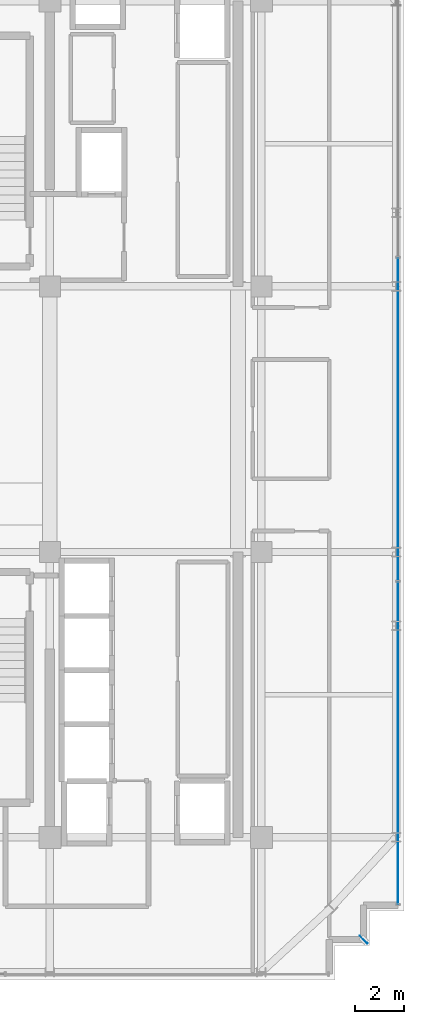
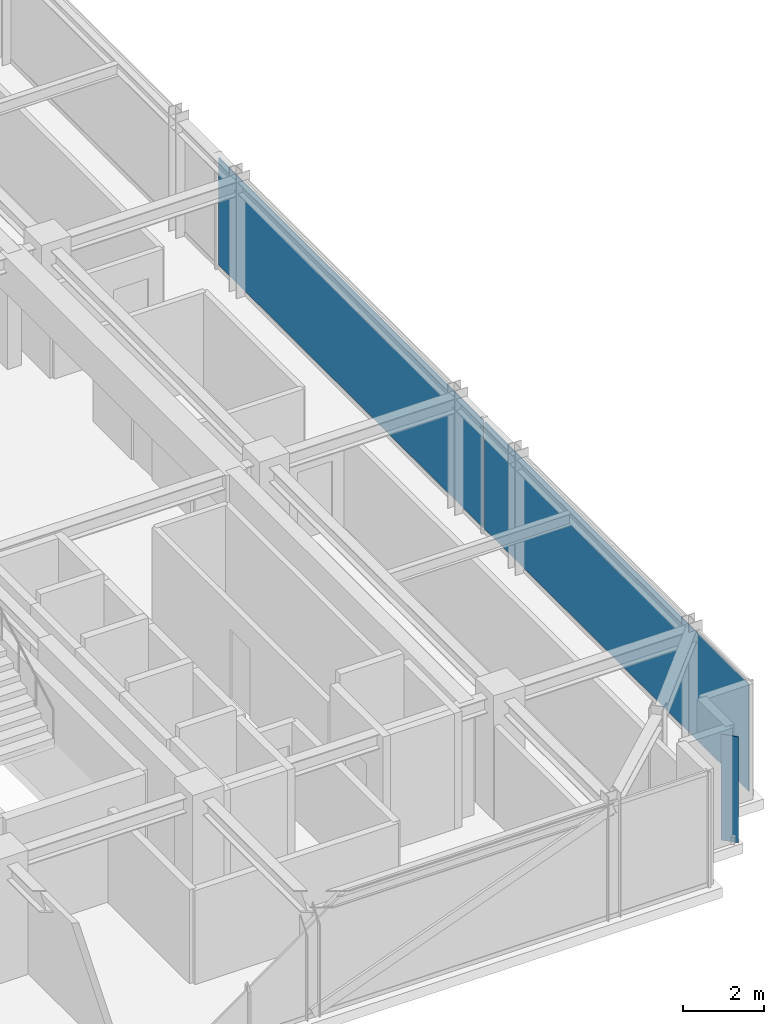
# One storey, part 27 of 36: 3 plates, 1 element without a shape of its own.
"""IFC4 building model written with IfcOpenShell, lengths in metres."""

from ifc_helpers import new_model, si_unit, direction, frame, origin, origin_2d, place, context, subcontext, project, spatial, rectangle, extrude, source, transform, mapped, material, layer, layer_set, type_object, element, aggregate, save


model = new_model("IFC4")

# Units and contexts
model_context = context("Model", 3, precision=1e-05, world=origin(), true_north=direction((0.0, 1.0)))
body_context = subcontext(model_context, "Body", "Model", "MODEL_VIEW")
ifc_project = project(units=[si_unit("LENGTHUNIT", "METRE"), si_unit("AREAUNIT", "SQUARE_METRE"), si_unit("VOLUMEUNIT", "CUBIC_METRE"), si_unit("PLANEANGLEUNIT", "RADIAN"), si_unit("MASSUNIT", "GRAM", prefix="KILO")], contexts=[model_context])

# Site, building, storey
site_placement = place(None, origin())
site = spatial("IfcSite", under=ifc_project, at=site_placement, CompositionType="ELEMENT")
building_placement = place(site_placement, origin())
building = spatial("IfcBuilding", under=site, at=building_placement, Name="Nahalor Promenade Grand Hotel", CompositionType="ELEMENT")
storey_placement = place(building_placement, frame((0.0, 0.0, 319.550048828125)))
storey = spatial("IfcBuildingStorey", under=building, at=storey_placement, Name="L82", CompositionType="ELEMENT", Elevation=319.550048828125)

# Plate
ifc_material_1 = material(Name="Anodised Bronze Aluminium EN AW-6063 T6", Category="aluminium")
ifc_layer_1 = layer(ifc_material_1, 0.02001953125)
ifc_layer_set_1 = layer_set([ifc_layer_1], Name="Anodised Bronze Aluminium EN AW-6063 T6")
plate_type_1 = type_object("IfcPlateType", Name="Plate-CornerFin-20", PredefinedType="SHEET", material=ifc_layer_set_1)
shared_shape_1 = source(origin(), body_context, "Body", "SweptSolid", [
    extrude(rectangle(XDim=0.449951171875, YDim=0.02001953125, at=origin_2d()), origin(), (0.0, 0.0, 1.0), 3.199951171875),
])
plate_1_placement = place(storey_placement, frame((21.159912109375, -21.159912109375, 0.0), z_axis=(0.0, 0.0, 1.0), x_axis=(-0.707106781187, 0.707106781187, 0.0)))
element("IfcPlate", 1, at=plate_1_placement, inside=storey, type_object=plate_type_1, Name="FIN-L82-SE", PredefinedType="SHEET", context=body_context, shape_type="MappedRepresentation", body=[
    mapped(shared_shape_1, transform((0.0, 0.0, 0.0), scale=1.0)),
])

# Curtain wall, plates
curtain_wall_type = type_object("IfcCurtainWallType", Name="CW2 Typical Hotel Flush Bronze Unitised Curtain Wall", PredefinedType="USERDEFINED", material=ifc_material_1)
curtain_wall_placement = place(storey_placement, origin())
curtain_wall = element("IfcCurtainWall", 2, at=curtain_wall_placement, inside=storey, type_object=curtain_wall_type, Name="L82 Curtain Wall CW-L82-E-1", ObjectType="UNITISED_CURTAIN_WALL", PredefinedType="USERDEFINED")
ifc_material_2 = material(Name="Low-E Laminated Solar Glass", Category="glass")
ifc_layer_2 = layer(ifc_material_2, 0.028076171875)
ifc_layer_set_2 = layer_set([ifc_layer_2], Name="Low-E Laminated Solar Glass")
plate_type_2 = type_object("IfcPlateType", Name="CWP2 Bronze Low-E Vision IGU 28mm", PredefinedType="CURTAIN_PANEL", material=ifc_layer_set_2)
shared_shape_2 = source(origin(), body_context, "Body", "SweptSolid", [
    extrude(rectangle(XDim=13.075927734375, YDim=0.028076171875, at=origin_2d()), origin(), (0.0, 0.0, 1.0), 3.239990234375),
])
plate_2_placement = place(storey_placement, frame((22.56005859375, -13.156982421875, 0.1298828125), z_axis=(0.0, 0.0, 1.0), x_axis=(0.0, 1.0, 0.0)))
plate_2 = element("IfcPlate", 3, at=plate_2_placement, type_object=plate_type_2, Name="CW-L82-E-1 Glazing Panel 0-0", PredefinedType="CURTAIN_PANEL", context=body_context, shape_type="MappedRepresentation", body=[
    mapped(shared_shape_2, transform((0.0, 0.0, 0.0), scale=1.0)),
])
shared_shape_3 = source(origin(), body_context, "Body", "SweptSolid", [
    extrude(rectangle(XDim=13.1083984375, YDim=0.028076171875, at=origin_2d()), origin(), (0.0, 0.0, 1.0), 3.239990234375),
])
plate_3_placement = place(storey_placement, frame((22.56005859375, 0.0, 0.1298828125), z_axis=(0.0, 0.0, 1.0), x_axis=(0.0, 1.0, 0.0)))
plate_3 = element("IfcPlate", 4, at=plate_3_placement, type_object=plate_type_2, Name="CW-L82-E-1 Glazing Panel 1-0", PredefinedType="CURTAIN_PANEL", context=body_context, shape_type="MappedRepresentation", body=[
    mapped(shared_shape_3, transform((0.0, 0.0, 0.0), scale=1.0)),
])
aggregate(curtain_wall, [plate_2, plate_3])

save(model, "model.ifc")
